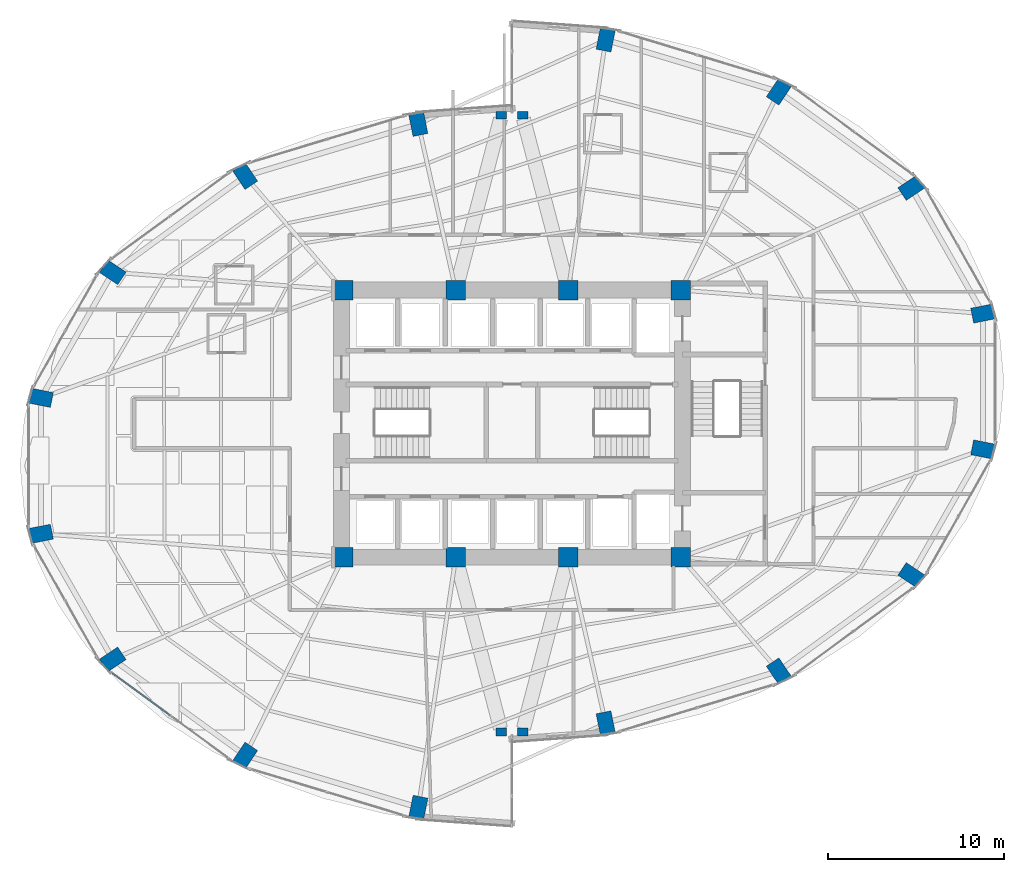
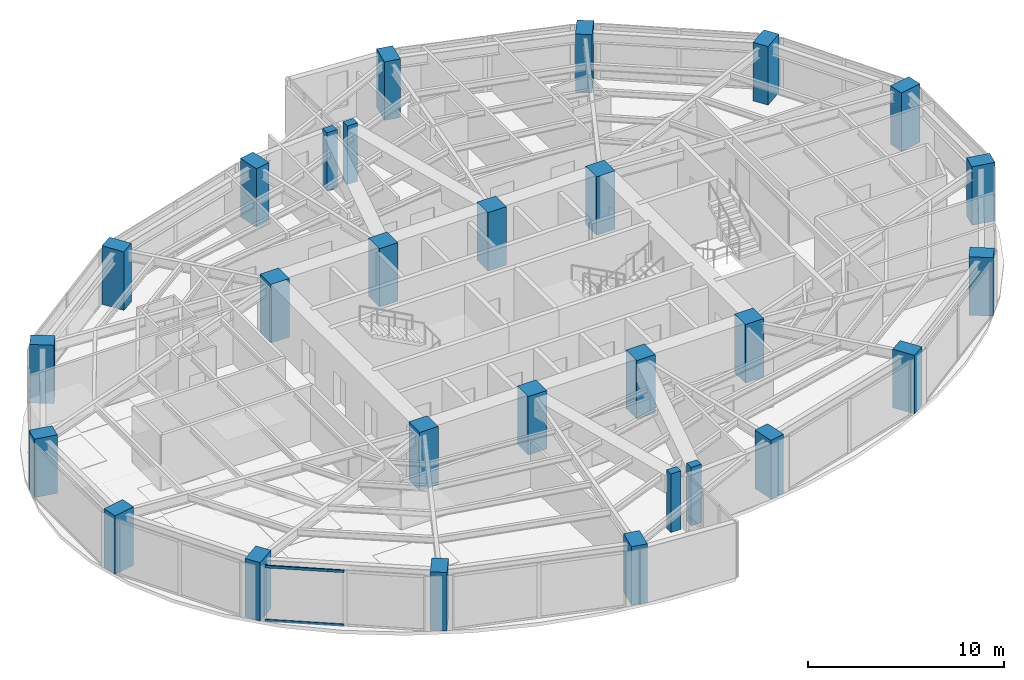
# One storey, part 1 of 25: 28 columns, 2 members, 1 element without a shape of its own.
"""IFC4 building model written with IfcOpenShell, lengths in metres."""

from ifc_helpers import new_model, si_unit, direction, frame, origin, origin_2d, place, context, subcontext, project, spatial, rectangle, hollow_rectangle, extrude, material, layer, layer_set, material_profile, profile_set, type_object, element, aggregate, save


model = new_model("IFC4")

# Units and contexts
model_context = context("Model", 3, precision=1e-05, world=origin(), true_north=direction((0.0, 1.0)))
body_context = subcontext(model_context, "Body", "Model", "MODEL_VIEW")
ifc_project = project(units=[si_unit("LENGTHUNIT", "METRE"), si_unit("AREAUNIT", "SQUARE_METRE"), si_unit("VOLUMEUNIT", "CUBIC_METRE"), si_unit("PLANEANGLEUNIT", "RADIAN"), si_unit("MASSUNIT", "GRAM", prefix="KILO")], contexts=[model_context])

# Site, building, storey
site_placement = place(None, origin())
site = spatial("IfcSite", under=ifc_project, at=site_placement, CompositionType="ELEMENT")
building_placement = place(site_placement, origin())
building = spatial("IfcBuilding", under=site, at=building_placement, Name="Lazwardi Medical Tower", CompositionType="ELEMENT")
storey_placement = place(building_placement, frame((0.0, 0.0, 47.087890625)))
storey = spatial("IfcBuildingStorey", under=building, at=storey_placement, Name="L11", CompositionType="ELEMENT", Elevation=47.087890625)

# Columns
ifc_material_1 = material(Name="Concrete C80/95", Category="concrete")
ifc_material_profile_1 = material_profile(ifc_material_1, rectangle(XDim=1.10009765625, YDim=1.10009765625, at=origin_2d()), Name="RC 1100x1100")
ifc_profile_set_1 = profile_set([ifc_material_profile_1], Name="Concrete C80/95")
column_type_1 = type_object("IfcColumnType", Name="COL-CC-L", PredefinedType="COLUMN", material=ifc_profile_set_1)
for number, where, z_axis, x_axis, name in (
    (1, (26.39990234375, 20.39990234375, 0.0), (0.0, 0.0, 1.0), (1.0, 0.0, 0.0), "Core column CC-01 CC1 L11"),
    (2, (32.800048828125, 20.39990234375, 0.0), (0.0, 0.0, 1.0), (1.0, 0.0, 0.0), "Core column CC-01 CC2 L11"),
    (3, (39.199951171875, 20.39990234375, 0.0), (0.0, 0.0, 1.0), (1.0, 0.0, 0.0), "Core column CC-01 CC3 L11"),
    (4, (45.60009765625, 20.39990234375, 0.0), (0.0, 0.0, 1.0), (1.0, 0.0, 0.0), "Core column CC-01 CC4 L11"),
    (5, (45.60009765625, 35.60009765625, 0.0), (0.0, 0.0, 1.0), (1.0, 0.0, 0.0), "Core column CC-01 CC5 L11"),
    (6, (39.199951171875, 35.60009765625, 0.0), (0.0, 0.0, 1.0), (1.0, 0.0, 0.0), "Core column CC-01 CC6 L11"),
    (7, (32.800048828125, 35.60009765625, 0.0), (0.0, 0.0, 1.0), (1.0, 0.0, 0.0), "Core column CC-01 CC7 L11"),
    (8, (26.39990234375, 35.60009765625, 0.0), (0.0, 0.0, 1.0), (1.0, 0.0, 0.0), "Core column CC-01 CC8 L11"),
):
    element("IfcColumn", number, at=place(storey_placement, frame(where, z_axis=z_axis, x_axis=x_axis)), inside=storey, type_object=column_type_1, Name=name, PredefinedType="COLUMN", context=body_context, shape_type="SweptSolid", body=[
        extrude(rectangle(XDim=1.10009765625, YDim=1.10009765625, at=origin_2d()), origin(), (0.0, 0.0, 1.0), 3.648193359375),
    ])
ifc_material_2 = material(Name="Concrete C70/85", Category="concrete")
ifc_material_profile_2 = material_profile(ifc_material_2, rectangle(XDim=1.25, YDim=0.860107421875, at=origin_2d()), Name="CFT-RECT 1250x860")
ifc_profile_set_2 = profile_set([ifc_material_profile_2], Name="Concrete C70/85")
column_type_2 = type_object("IfcColumnType", Name="COL-MC-Z1", PredefinedType="COLUMN", material=ifc_profile_set_2)
for number, where, z_axis, x_axis, name in (
    (9, (41.330810546875, 10.955810546875, 0.0), (0.0, 0.0, 1.0), (0.195090322016, -0.980785280403, 0.0), "Mega column MC-03 M01 L11"),
    (10, (51.180908203125, 13.916015625, 0.0), (0.0, 0.0, 1.0), (0.55557023302, -0.831469612303, 0.0), "Mega column MC-03 M02 L11"),
    (11, (58.719970703125, 19.3857421875, 0.0), (0.0, 0.0, 1.0), (0.831469612303, -0.55557023302, 0.0), "Mega column MC-03 M03 L11"),
    (12, (62.800048828125, 26.5322265625, 0.0), (0.0, 0.0, 1.0), (0.980785280403, -0.195090322016, 0.0), "Mega column MC-03 M04 L11"),
    (13, (62.800048828125, 34.267578125, 0.0), (0.0, 0.0, 1.0), (0.980785280403, 0.195090322016, 0.0), "Mega column MC-03 M05 L11"),
    (14, (58.719970703125, 41.414306640625, 0.0), (0.0, 0.0, 1.0), (0.831469612303, 0.55557023302, 0.0), "Mega column MC-03 M06 L11"),
    (15, (51.180908203125, 46.8837890625, 0.0), (0.0, 0.0, 1.0), (0.55557023302, 0.831469612303, 0.0), "Mega column MC-03 M07 L11"),
    (16, (41.330810546875, 49.843994140625, 0.0), (0.0, 0.0, 1.0), (0.195090322016, 0.980785280403, 0.0), "Mega column MC-03 M08 L11"),
    (17, (30.669189453125, 45.044189453125, 0.0), (0.0, 0.0, 1.0), (-0.195090322016, 0.980785280403, 0.0), "Mega column MC-03 M09 L11"),
    (18, (20.819091796875, 42.083984375, 0.0), (0.0, 0.0, 1.0), (-0.55557023302, 0.831469612303, 0.0), "Mega column MC-03 M10 L11"),
    (19, (13.280029296875, 36.6142578125, 0.0), (0.0, 0.0, 1.0), (-0.831469612303, 0.55557023302, 0.0), "Mega column MC-03 M11 L11"),
    (20, (9.199951171875, 29.4677734375, 0.0), (0.0, 0.0, 1.0), (-0.980785280403, 0.195090322016, 0.0), "Mega column MC-03 M12 L11"),
    (21, (9.199951171875, 21.732421875, 0.0), (0.0, 0.0, 1.0), (-0.980785280403, -0.195090322016, 0.0), "Mega column MC-03 M13 L11"),
    (22, (13.280029296875, 14.585693359375, 0.0), (0.0, 0.0, 1.0), (-0.831469612303, -0.55557023302, 0.0), "Mega column MC-03 M14 L11"),
    (23, (20.819091796875, 9.1162109375, 0.0), (0.0, 0.0, 1.0), (-0.55557023302, -0.831469612303, 0.0), "Mega column MC-03 M15 L11"),
    (24, (30.669189453125, 6.156005859375, 0.0), (0.0, 0.0, 1.0), (-0.195090322016, -0.980785280403, 0.0), "Mega column MC-03 M16 L11"),
):
    element("IfcColumn", number, at=place(storey_placement, frame(where, z_axis=z_axis, x_axis=x_axis)), inside=storey, type_object=column_type_2, Name=name, PredefinedType="COLUMN", context=body_context, shape_type="SweptSolid", body=[
        extrude(rectangle(XDim=1.25, YDim=0.860107421875, at=origin_2d()), origin(), (0.0, 0.0, 1.0), 3.648193359375),
    ])
ifc_material_3 = material(Name="Concrete C60/75", Category="concrete")
ifc_material_profile_3 = material_profile(ifc_material_3, rectangle(XDim=0.60009765625, YDim=0.449951171875, at=origin_2d()), Name="RC 600x450")
ifc_profile_set_3 = profile_set([ifc_material_profile_3], Name="Concrete C60/75")
column_type_3 = type_object("IfcColumnType", Name="COL-PL-IW", PredefinedType="PILASTER", material=ifc_profile_set_3)
for number, where, z_axis, x_axis, name in (
    (25, (35.39990234375, 45.550048828125, 0.0), (0.0, 0.0, 1.0), (1.0, 0.0, 0.0), "Iwan pilaster column PL-C1 PL1 L11"),
    (26, (36.60009765625, 45.550048828125, 0.0), (0.0, 0.0, 1.0), (1.0, 0.0, 0.0), "Iwan pilaster column PL-C1 PL2 L11"),
    (27, (35.39990234375, 10.449951171875, 0.0), (0.0, 0.0, 1.0), (1.0, 0.0, 0.0), "Iwan pilaster column PL-C1 PL3 L11"),
    (28, (36.60009765625, 10.449951171875, 0.0), (0.0, 0.0, 1.0), (1.0, 0.0, 0.0), "Iwan pilaster column PL-C1 PL4 L11"),
):
    element("IfcColumn", number, at=place(storey_placement, frame(where, z_axis=z_axis, x_axis=x_axis)), inside=storey, type_object=column_type_3, Name=name, PredefinedType="PILASTER", context=body_context, shape_type="SweptSolid", body=[
        extrude(rectangle(XDim=0.60009765625, YDim=0.449951171875, at=origin_2d()), origin(), (0.0, 0.0, 1.0), 3.648193359375),
    ])

# Curtain wall, members
ifc_material_4 = material(Name="Anodised bronze aluminium and solar control glazing", Category="aluminium")
ifc_layer = layer(ifc_material_4, 0.199951171875)
ifc_layer_set = layer_set([ifc_layer], Name="Anodised bronze aluminium and solar control glazing")
curtain_wall_type = type_object("IfcCurtainWallType", Name="CW-SYS-02", PredefinedType="NOTDEFINED", material=ifc_layer_set)
curtain_wall_placement = place(storey_placement, origin())
curtain_wall = element("IfcCurtainWall", 29, at=curtain_wall_placement, inside=storey, type_object=curtain_wall_type, Name="L11 Unitised bronze curtain wall CW-02", PredefinedType="NOTDEFINED")
ifc_material_5 = material(Name="Anodised bronze aluminium", Category="aluminium")
ifc_material_profile_4 = material_profile(ifc_material_5, hollow_rectangle(XDim=0.074951171875, YDim=0.159912109375, WallThickness=0.00390625, at=origin_2d()), Name="ALU-TRANSOM 160x75x4")
ifc_profile_set_4 = profile_set([ifc_material_profile_4], Name="Anodised bronze aluminium")
member_type = type_object("IfcMemberType", Name="CW-TRN-01", PredefinedType="USERDEFINED", material=ifc_profile_set_4)
member_1_placement = place(storey_placement, frame((13.239990234375, 13.805419921875, 0.03759765625), z_axis=(0.807189956199, -0.590291770748, 0.0), x_axis=(0.590291770748, 0.807189956199, 0.0)))
member_1 = element("IfcMember", 30, at=member_1_placement, type_object=member_type, Name="CW-02 transom 1.1", ObjectType="TRANSOM", PredefinedType="USERDEFINED", context=body_context, shape_type="SweptSolid", body=[
    extrude(hollow_rectangle(XDim=0.074951171875, YDim=0.159912109375, WallThickness=0.00390625, at=origin_2d()), origin(), (0.0, 0.0, 1.0), 4.070068359375),
])
member_2_placement = place(storey_placement, frame((13.239990234375, 13.805419921875, 3.390625), z_axis=(0.807189956199, -0.590291770748, 0.0), x_axis=(0.590291770748, 0.807189956199, 0.0)))
member_2 = element("IfcMember", 31, at=member_2_placement, type_object=member_type, Name="CW-02 transom 1.2", ObjectType="TRANSOM", PredefinedType="USERDEFINED", context=body_context, shape_type="SweptSolid", body=[
    extrude(hollow_rectangle(XDim=0.074951171875, YDim=0.159912109375, WallThickness=0.00390625, at=origin_2d()), origin(), (0.0, 0.0, 1.0), 4.070068359375),
])
aggregate(curtain_wall, [member_1, member_2])

save(model, "model.ifc")
